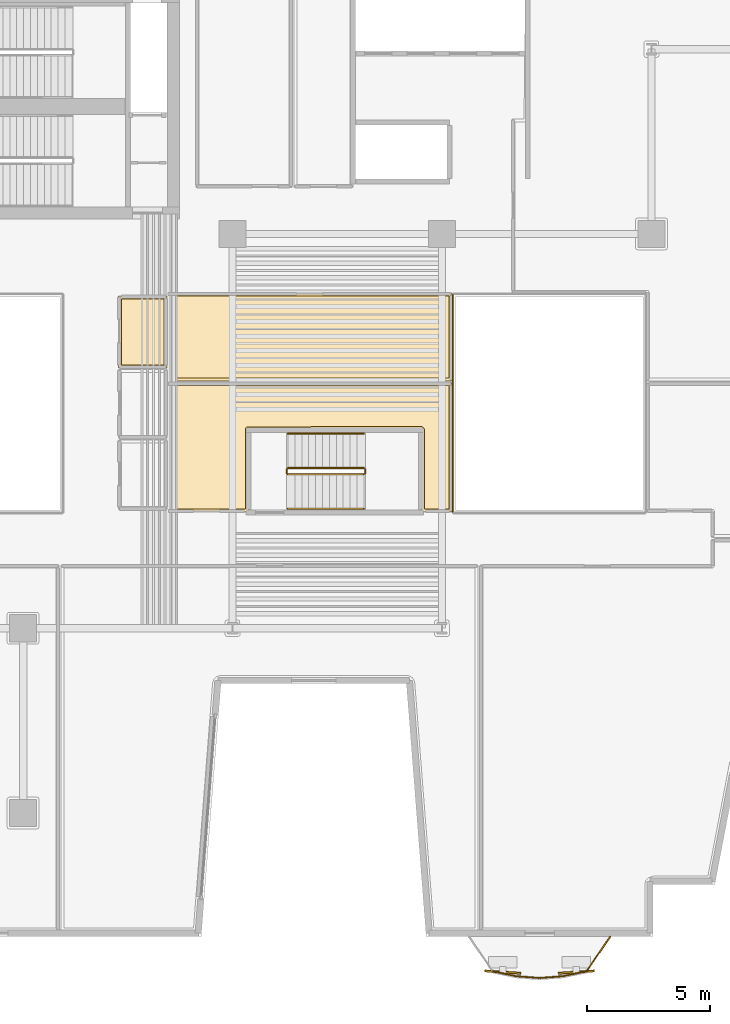
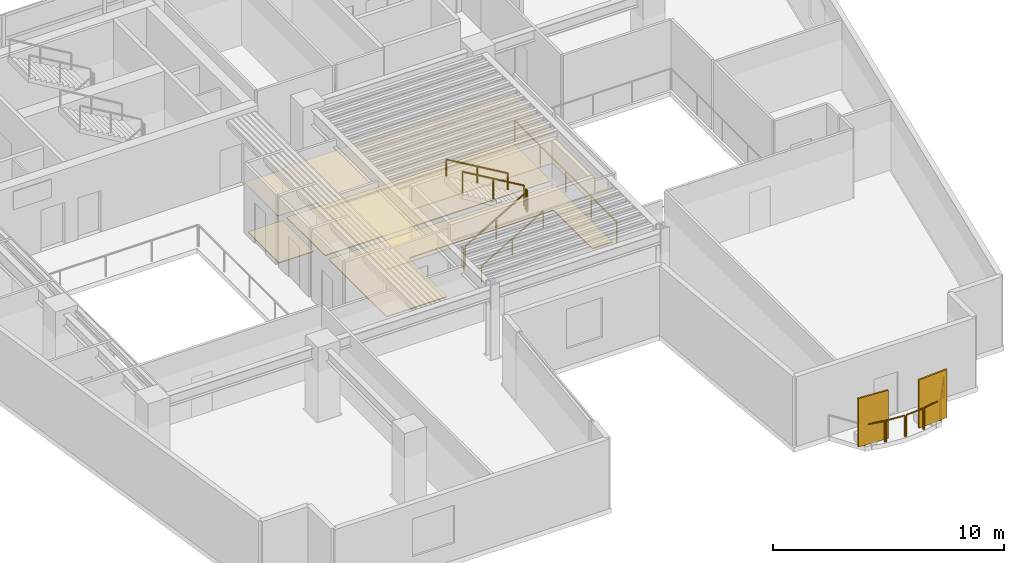
# One storey, part 10 of 13: 12 railings, 6 coverings, 2 shading devices.
"""IFC4 building model written with IfcOpenShell, lengths in metres."""

from ifc_helpers import new_model, si_unit, direction, frame, origin, origin_2d, place, context, subcontext, project, spatial, polyline, rectangle, outline, extrude, material, layer, layer_set, type_object, element, save


model = new_model("IFC4")

# Units and contexts
model_context = context("Model", 3, precision=1e-05, world=origin(), true_north=direction((0.0, 1.0)))
body_context = subcontext(model_context, "Body", "Model", "MODEL_VIEW")
ifc_project = project(units=[si_unit("LENGTHUNIT", "METRE"), si_unit("AREAUNIT", "SQUARE_METRE"), si_unit("VOLUMEUNIT", "CUBIC_METRE"), si_unit("PLANEANGLEUNIT", "RADIAN"), si_unit("MASSUNIT", "GRAM", prefix="KILO")], contexts=[model_context])

# Site, building, storey
site_placement = place(None, origin())
site = spatial("IfcSite", under=ifc_project, at=site_placement, CompositionType="ELEMENT")
building_placement = place(site_placement, origin())
building = spatial("IfcBuilding", under=site, at=building_placement, Name="Caeloran Harvest Quay", CompositionType="ELEMENT")
storey_placement = place(building_placement, frame((0.0, 0.0, 135.10009765625)))
storey = spatial("IfcBuildingStorey", under=building, at=storey_placement, Name="L31", CompositionType="ELEMENT", Elevation=135.10009765625)

# Coverings
ifc_material_1 = material(Name="Perforated Mineral-Fibre Acoustic Ceiling Tile", Category="ceiling")
ifc_layer_1 = layer(ifc_material_1, 0.0400390625, Name="Perforated Mineral-Fibre Acoustic Ceiling Tile")
ifc_layer_set_1 = layer_set([ifc_layer_1], Name="Perforated Mineral-Fibre Acoustic Ceiling Tile")
covering_type_1 = type_object("IfcCoveringType", Name="COV-CEILING-ACOUSTIC", PredefinedType="CEILING", material=ifc_layer_set_1)
covering_1_placement = place(storey_placement, frame((0.0, 0.0, 2.599853515625)))
element("IfcCovering", 1, at=covering_1_placement, inside=storey, type_object=covering_type_1, Name="L31 Male Washroom WC Acoustic Ceiling", PredefinedType="CEILING", context=body_context, shape_type="SweptSolid", body=[
    extrude(outline(polyline([(22.840087890625, 25.56005859375), (20.8701171875, 25.56005859375), (20.8701171875, 28.489990234375), (22.840087890625, 28.489990234375), (22.840087890625, 25.56005859375)])), origin(), (0.0, 0.0, 1.0), 0.0400390625),
])
covering_2_placement = place(storey_placement, frame((0.0, 0.0, 2.599853515625)))
element("IfcCovering", 2, at=covering_2_placement, inside=storey, type_object=covering_type_1, Name="Sensory Tasting Kitchen Acoustic Ceiling", PredefinedType="CEILING", context=body_context, shape_type="SweptSolid", body=[
    extrude(outline(polyline([(26.139892578125, 23.06005859375), (26.139892578125, 19.7099609375), (22.8701171875, 19.7099609375), (22.8701171875, 24.9599609375), (34.409912109375, 24.9599609375), (34.409912109375, 19.7099609375), (33.159912109375, 19.7099609375), (33.159912109375, 23.06005859375), (26.139892578125, 23.06005859375)])), origin(), (0.0, 0.0, 1.0), 0.0400390625),
])
covering_3_placement = place(storey_placement, frame((0.0, 0.0, 2.599853515625)))
element("IfcCovering", 3, at=covering_3_placement, inside=storey, type_object=covering_type_1, Name="Staff Wellness Lounge Acoustic Ceiling", PredefinedType="CEILING", context=body_context, shape_type="SweptSolid", body=[
    extrude(outline(polyline([(22.8701171875, 28.512939453125), (22.85009765625, 28.52001953125), (22.85009765625, 28.610107421875), (34.409912109375, 28.610107421875), (34.409912109375, 25.0400390625), (22.8701171875, 25.0400390625), (22.8701171875, 28.512939453125)])), origin(), (0.0, 0.0, 1.0), 0.0400390625),
])
ifc_material_2 = material(Name="Calcium-Sulphate Raised Access Floor and Terrazzo Finish", Category="flooring")
ifc_layer_2 = layer(ifc_material_2, 0.050048828125, Name="Calcium-Sulphate Raised Access Floor and Terrazzo Finish")
ifc_layer_set_2 = layer_set([ifc_layer_2], Name="Calcium-Sulphate Raised Access Floor and Terrazzo Finish")
covering_type_2 = type_object("IfcCoveringType", Name="COV-FLOOR-RAISED", PredefinedType="FLOORING", material=ifc_layer_set_2)
covering_4_placement = place(storey_placement, origin())
element("IfcCovering", 4, at=covering_4_placement, inside=storey, type_object=covering_type_2, Name="L31 Male Washroom WC Raised Finish Flooring", PredefinedType="FLOORING", context=body_context, shape_type="SweptSolid", body=[
    extrude(outline(polyline([(22.719970703125, 25.679931640625), (20.989990234375, 25.679931640625), (20.989990234375, 28.3701171875), (22.719970703125, 28.3701171875), (22.719970703125, 25.679931640625)])), origin(), (0.0, 0.0, 1.0), 0.0498046875),
])
covering_5_placement = place(storey_placement, origin())
element("IfcCovering", 5, at=covering_5_placement, inside=storey, type_object=covering_type_2, Name="Sensory Tasting Kitchen Raised Finish Flooring", PredefinedType="FLOORING", context=body_context, shape_type="SweptSolid", body=[
    extrude(outline(polyline([(33.27978515625, 23.076904296875), (33.244873046875, 23.150390625), (33.169921875, 23.179931640625), (26.09423828125, 23.174072265625), (26.040771484375, 23.13427734375), (26.02001953125, 23.070068359375), (26.02001953125, 19.830078125), (22.989990234375, 19.830078125), (22.989990234375, 24.840087890625), (34.2900390625, 24.840087890625), (34.2900390625, 19.830078125), (33.280029296875, 19.830078125), (33.27978515625, 23.076904296875)])), origin(), (0.0, 0.0, 1.0), 0.0498046875),
])
covering_6_placement = place(storey_placement, origin())
element("IfcCovering", 6, at=covering_6_placement, inside=storey, type_object=covering_type_2, Name="Staff Wellness Lounge Raised Finish Flooring", PredefinedType="FLOORING", context=body_context, shape_type="SweptSolid", body=[
    extrude(outline(polyline([(22.989990234375, 28.489990234375), (34.2900390625, 28.489990234375), (34.2900390625, 25.159912109375), (22.989990234375, 25.159912109375), (22.989990234375, 28.489990234375)])), origin(), (0.0, 0.0, 1.0), 0.0498046875),
])

# Railings
ifc_material_3 = material(Name="Powder-Coated Steel Post and Laminated Glass Guardrail", Category="steel")
ifc_layer_3 = layer(ifc_material_3, 0.06005859375, Name="Powder-Coated Steel Post and Laminated Glass Guardrail")
ifc_layer_set_3 = layer_set([ifc_layer_3], Name="Powder-Coated Steel Post and Laminated Glass Guardrail")
railing_type_1 = type_object("IfcRailingType", Name="GUARD-ATRIUM-1150", PredefinedType="GUARDRAIL", material=ifc_layer_set_3)
railing_1_placement = place(storey_placement, frame((34.429931640625, 28.5380859375, 0.0)))
element("IfcRailing", 7, at=railing_1_placement, inside=storey, type_object=railing_type_1, Name="L31 East Botanical Lightwell Guardrail Seg 4", PredefinedType="GUARDRAIL", context=body_context, shape_type="SweptSolid", body=[
    extrude(rectangle(XDim=0.048095703125, YDim=0.048095703125, at=origin_2d()), frame((0.0, 0.0, 1.1259765625), z_axis=(0.0, -1.0, 0.0), x_axis=(1.0, 0.0, 0.0)), (0.0, 0.0, 1.0), 8.826171875),
    extrude(rectangle(XDim=0.0419921875, YDim=0.0419921875, at=origin_2d()), origin(), (0.0, 0.0, 1.0), 1.101806640625),
    extrude(rectangle(XDim=0.0419921875, YDim=0.0419921875, at=origin_2d()), frame((0.0, -2.20654296875, 0.0)), (0.0, 0.0, 1.0), 1.101806640625),
    extrude(rectangle(XDim=0.0419921875, YDim=0.0419921875, at=origin_2d()), frame((0.0, -4.4130859375, 0.0)), (0.0, 0.0, 1.0), 1.101806640625),
    extrude(rectangle(XDim=0.0419921875, YDim=0.0419921875, at=origin_2d()), frame((0.0, -6.61962890625, 0.0)), (0.0, 0.0, 1.0), 1.101806640625),
    extrude(rectangle(XDim=0.0419921875, YDim=0.0419921875, at=origin_2d()), frame((0.0, -8.826171875, 0.0)), (0.0, 0.0, 1.0), 1.101806640625),
])
ifc_material_4 = material(Name="Laminated Safety Glass and Stainless Steel 316", Category="steel")
ifc_layer_4 = layer(ifc_material_4, 0.06005859375, Name="Laminated Safety Glass and Stainless Steel 316")
ifc_layer_set_4 = layer_set([ifc_layer_4], Name="Laminated Safety Glass and Stainless Steel 316")
railing_type_2 = type_object("IfcRailingType", Name="GUARD-BALUSTRADE-1150", PredefinedType="BALUSTRADE", material=ifc_layer_set_4)
railing_2_placement = place(storey_placement, frame((40.825927734375, 2.47998046875, 0.0)))
element("IfcRailing", 8, at=railing_2_placement, inside=storey, type_object=railing_type_2, Name="L31 Planted Balcony Perimeter Balustrade Guard Seg 1", PredefinedType="BALUSTRADE", context=body_context, shape_type="SweptSolid", body=[
    extrude(rectangle(XDim=0.048095703125, YDim=0.048095703125, at=origin_2d()), frame((0.0, 0.0, 1.1259765625), z_axis=(-0.564699722843, -0.82529644554, 0.0), x_axis=(0.82529644554, -0.564699722843, 0.0)), (0.0, 0.0, 1.0), 1.6611328125),
    extrude(rectangle(XDim=0.0419921875, YDim=0.0419921875, at=origin_2d()), origin(), (0.0, 0.0, 1.0), 1.101806640625),
    extrude(rectangle(XDim=0.0419921875, YDim=0.0419921875, at=origin_2d()), frame((-0.93798828125, -1.370849609375, 0.0)), (0.0, 0.0, 1.0), 1.101806640625),
])
railing_3_placement = place(storey_placement, frame((39.83837890625, 1.076171875, 0.0)))
element("IfcRailing", 9, at=railing_3_placement, inside=storey, type_object=railing_type_2, Name="L31 Planted Balcony Perimeter Balustrade Guard Seg 2", PredefinedType="BALUSTRADE", context=body_context, shape_type="SweptSolid", body=[
    extrude(rectangle(XDim=0.048095703125, YDim=0.048095703125, at=origin_2d()), frame((0.0, 0.0, 1.1259765625), z_axis=(-0.978188056944, -0.207721268173, 0.0), x_axis=(0.207721268173, -0.978188056944, 0.0)), (0.0, 0.0, 1.0), 0.913330078125),
    extrude(rectangle(XDim=0.0419921875, YDim=0.0419921875, at=origin_2d()), origin(), (0.0, 0.0, 1.0), 1.101806640625),
    extrude(rectangle(XDim=0.0419921875, YDim=0.0419921875, at=origin_2d()), frame((-0.893310546875, -0.189697265625, 0.0)), (0.0, 0.0, 1.0), 1.101806640625),
])
railing_4_placement = place(storey_placement, frame((38.8818359375, 0.87744140625, 0.0)))
element("IfcRailing", 10, at=railing_4_placement, inside=storey, type_object=railing_type_2, Name="L31 Planted Balcony Perimeter Balustrade Guard Seg 3", PredefinedType="BALUSTRADE", context=body_context, shape_type="SweptSolid", body=[
    extrude(rectangle(XDim=0.048095703125, YDim=0.048095703125, at=origin_2d()), frame((0.0, 0.0, 1.1259765625), z_axis=(-0.996994817981, -0.077468270399, 0.0), x_axis=(0.077468270399, -0.996994817981, 0.0)), (0.0, 0.0, 1.0), 0.89501953125),
    extrude(rectangle(XDim=0.0419921875, YDim=0.0419921875, at=origin_2d()), origin(), (0.0, 0.0, 1.0), 1.101806640625),
    extrude(rectangle(XDim=0.0419921875, YDim=0.0419921875, at=origin_2d()), frame((-0.892333984375, -0.0693359375, 0.0)), (0.0, 0.0, 1.0), 1.101806640625),
])
railing_5_placement = place(storey_placement, frame((37.925537109375, 0.80810546875, 0.0)))
element("IfcRailing", 11, at=railing_5_placement, inside=storey, type_object=railing_type_2, Name="L31 Planted Balcony Perimeter Balustrade Guard Seg 4", PredefinedType="BALUSTRADE", context=body_context, shape_type="SweptSolid", body=[
    extrude(rectangle(XDim=0.048095703125, YDim=0.048095703125, at=origin_2d()), frame((0.0, 0.0, 1.1259765625), z_axis=(-0.996994817981, 0.077468270399, 0.0), x_axis=(-0.077468270399, -0.996994817981, 0.0)), (0.0, 0.0, 1.0), 0.89501953125),
    extrude(rectangle(XDim=0.0419921875, YDim=0.0419921875, at=origin_2d()), origin(), (0.0, 0.0, 1.0), 1.101806640625),
    extrude(rectangle(XDim=0.0419921875, YDim=0.0419921875, at=origin_2d()), frame((-0.892333984375, 0.0693359375, 0.0)), (0.0, 0.0, 1.0), 1.101806640625),
])
railing_6_placement = place(storey_placement, frame((36.969970703125, 0.886474609375, 0.0)))
element("IfcRailing", 12, at=railing_6_placement, inside=storey, type_object=railing_type_2, Name="L31 Planted Balcony Perimeter Balustrade Guard Seg 5", PredefinedType="BALUSTRADE", context=body_context, shape_type="SweptSolid", body=[
    extrude(rectangle(XDim=0.048095703125, YDim=0.048095703125, at=origin_2d()), frame((0.0, 0.0, 1.1259765625), z_axis=(-0.978199587535, 0.207666961616, 0.0), x_axis=(-0.207666961616, -0.978199587535, 0.0)), (0.0, 0.0, 1.0), 0.91357421875),
    extrude(rectangle(XDim=0.0419921875, YDim=0.0419921875, at=origin_2d()), origin(), (0.0, 0.0, 1.0), 1.101806640625),
    extrude(rectangle(XDim=0.0419921875, YDim=0.0419921875, at=origin_2d()), frame((-0.8935546875, 0.189697265625, 0.0)), (0.0, 0.0, 1.0), 1.101806640625),
])

# Shading devices
ifc_material_5 = material(Name="3003-H14 Perforated Powder-Coated Aluminium", Category="aluminium")
shading_device_type = type_object("IfcShadingDeviceType", Name="SHADE-SCREEN-FOLDED", PredefinedType="USERDEFINED", material=ifc_material_5)
for number, where, z_axis, x_axis, name in (
    (13, (39.44921875, 1.04638671875, 0.07470703125), (0.0, 0.0, 1.0), (0.997801468292, 0.0662739004, 0.0), "L31 Folded Facade Breathing Screen 1"),
    (14, (36.4658203125, 1.04638671875, 0.07470703125), (0.0, 0.0, 1.0), (0.997801468292, -0.0662739004, 0.0), "L31 Folded Facade Breathing Screen 2"),
):
    element("IfcShadingDevice", number, at=place(storey_placement, frame(where, z_axis=z_axis, x_axis=x_axis)), inside=storey, type_object=shading_device_type, Name=name, ObjectType="SCREEN", PredefinedType="USERDEFINED", context=body_context, shape_type="SweptSolid", body=[
        extrude(rectangle(XDim=1.449951171875, YDim=0.080078125, at=origin_2d()), origin(), (0.0, 0.0, 1.0), 2.550048828125),
    ])

# Railings
ifc_material_6 = material(Name="Painted Steel Baluster and Top-Rail Stair Guard", Category="steel")
ifc_layer_5 = layer(ifc_material_6, 0.050048828125, Name="Painted Steel Baluster and Top-Rail Stair Guard")
ifc_layer_set_5 = layer_set([ifc_layer_5], Name="Painted Steel Baluster and Top-Rail Stair Guard")
railing_type_3 = type_object("IfcRailingType", Name="STAIR-GUARD-1100", PredefinedType="GUARDRAIL", material=ifc_layer_set_5)
railing_7_placement = place(storey_placement, frame((27.75, 21.25, 0.16455078125)))
element("IfcRailing", 15, at=railing_7_placement, inside=storey, type_object=railing_type_3, Name="L31 ST-W1 stair guard 1", PredefinedType="GUARDRAIL", context=body_context, shape_type="SweptSolid", body=[
    extrude(rectangle(XDim=0.048095703125, YDim=0.048095703125, at=origin_2d()), frame((0.0, 0.0, 1.076171875), z_axis=(0.862118610829, 0.0, 0.506706523406), x_axis=(0.0, 1.0, 0.0)), (0.0, 0.0, 1.0), 3.57275390625),
    extrude(rectangle(XDim=0.0419921875, YDim=0.0419921875, at=origin_2d()), origin(), (0.0, 0.0, 1.0), 1.052001953125),
    extrude(rectangle(XDim=0.0419921875, YDim=0.0419921875, at=origin_2d()), frame((1.5400390625, 0.0, 0.9052734375)), (0.0, 0.0, 1.0), 1.052001953125),
    extrude(rectangle(XDim=0.0419921875, YDim=0.0419921875, at=origin_2d()), frame((3.080078125, 0.0, 1.810302734375)), (0.0, 0.0, 1.0), 1.052001953125),
])
railing_8_placement = place(storey_placement, frame((30.8798828125, 21.300048828125, 1.974853515625)))
element("IfcRailing", 16, at=railing_8_placement, inside=storey, type_object=railing_type_3, Name="L31 ST-W1 stair guard 2", PredefinedType="GUARDRAIL", context=body_context, shape_type="SweptSolid", body=[
    extrude(rectangle(XDim=0.048095703125, YDim=0.048095703125, at=origin_2d()), frame((0.0, 0.0, 1.076171875), z_axis=(0.0, 1.0, 0.0), x_axis=(-1.0, 0.0, 0.0)), (0.0, 0.0, 1.0), 0.14990234375),
    extrude(rectangle(XDim=0.0419921875, YDim=0.0419921875, at=origin_2d()), origin(), (0.0, 0.0, 1.0), 1.052001953125),
    extrude(rectangle(XDim=0.0419921875, YDim=0.0419921875, at=origin_2d()), frame((0.0, 0.14990234375, 0.0)), (0.0, 0.0, 1.0), 1.052001953125),
])
railing_9_placement = place(storey_placement, frame((30.830078125, 21.5, 2.139404296875)))
element("IfcRailing", 17, at=railing_9_placement, inside=storey, type_object=railing_type_3, Name="L31 ST-W1 stair guard 3", PredefinedType="GUARDRAIL", context=body_context, shape_type="SweptSolid", body=[
    extrude(rectangle(XDim=0.048095703125, YDim=0.048095703125, at=origin_2d()), frame((0.0, 0.0, 1.076171875), z_axis=(-0.862088758681, 0.0, 0.506757310905), x_axis=(0.0, -1.0, 0.0)), (0.0, 0.0, 1.0), 3.57275390625),
    extrude(rectangle(XDim=0.0419921875, YDim=0.0419921875, at=origin_2d()), origin(), (0.0, 0.0, 1.0), 1.052001953125),
    extrude(rectangle(XDim=0.0419921875, YDim=0.0419921875, at=origin_2d()), frame((-1.5400390625, 0.0, 0.9052734375)), (0.0, 0.0, 1.0), 1.052001953125),
    extrude(rectangle(XDim=0.0419921875, YDim=0.0419921875, at=origin_2d()), frame((-3.080078125, 0.0, 1.810546875)), (0.0, 0.0, 1.0), 1.052001953125),
])
railing_10_placement = place(storey_placement, frame((27.699951171875, 21.300048828125, 0.0)))
element("IfcRailing", 18, at=railing_10_placement, inside=storey, type_object=railing_type_3, Name="L31 ST-W1 stair guard 4", PredefinedType="GUARDRAIL", context=body_context, shape_type="SweptSolid", body=[
    extrude(rectangle(XDim=0.048095703125, YDim=0.048095703125, at=origin_2d()), frame((0.0, 0.0, 1.076171875), z_axis=(0.0, 1.0, 0.0), x_axis=(-1.0, 0.0, 0.0)), (0.0, 0.0, 1.0), 0.14990234375),
    extrude(rectangle(XDim=0.0419921875, YDim=0.0419921875, at=origin_2d()), origin(), (0.0, 0.0, 1.0), 1.052001953125),
    extrude(rectangle(XDim=0.0419921875, YDim=0.0419921875, at=origin_2d()), frame((0.0, 0.14990234375, 0.0)), (0.0, 0.0, 1.0), 1.052001953125),
])
ifc_material_7 = material(Name="Brushed Stainless Steel Grade 304", Category="steel")
ifc_layer_6 = layer(ifc_material_7, 0.050048828125, Name="Brushed Stainless Steel Grade 304")
ifc_layer_set_6 = layer_set([ifc_layer_6], Name="Brushed Stainless Steel Grade 304")
railing_type_4 = type_object("IfcRailingType", Name="STAIR-HANDRAIL-900", PredefinedType="HANDRAIL", material=ifc_layer_set_6)
railing_11_placement = place(storey_placement, frame((27.75, 19.85009765625, 0.16455078125)))
element("IfcRailing", 19, at=railing_11_placement, inside=storey, type_object=railing_type_4, Name="L31 ST-W1 stair handrail 1", PredefinedType="HANDRAIL", context=body_context, shape_type="SweptSolid", body=[
    extrude(rectangle(XDim=0.048095703125, YDim=0.048095703125, at=origin_2d()), frame((0.0, 0.0, 0.8759765625), z_axis=(0.862118610829, 0.0, 0.506706523406), x_axis=(0.0, 1.0, 0.0)), (0.0, 0.0, 1.0), 3.57275390625),
    extrude(rectangle(XDim=0.0419921875, YDim=0.0419921875, at=origin_2d()), origin(), (0.0, 0.0, 1.0), 0.851806640625),
    extrude(rectangle(XDim=0.0419921875, YDim=0.0419921875, at=origin_2d()), frame((1.5400390625, 0.0, 0.9052734375)), (0.0, 0.0, 1.0), 0.851806640625),
    extrude(rectangle(XDim=0.0419921875, YDim=0.0419921875, at=origin_2d()), frame((3.080078125, 0.0, 1.810302734375)), (0.0, 0.0, 1.0), 0.851806640625),
])
railing_12_placement = place(storey_placement, frame((30.830078125, 22.89990234375, 2.139404296875)))
element("IfcRailing", 20, at=railing_12_placement, inside=storey, type_object=railing_type_4, Name="L31 ST-W1 stair handrail 2", PredefinedType="HANDRAIL", context=body_context, shape_type="SweptSolid", body=[
    extrude(rectangle(XDim=0.048095703125, YDim=0.048095703125, at=origin_2d()), frame((0.0, 0.0, 0.8759765625), z_axis=(-0.862088758681, 0.0, 0.506757310905), x_axis=(0.0, -1.0, 0.0)), (0.0, 0.0, 1.0), 3.57275390625),
    extrude(rectangle(XDim=0.0419921875, YDim=0.0419921875, at=origin_2d()), origin(), (0.0, 0.0, 1.0), 0.851806640625),
    extrude(rectangle(XDim=0.0419921875, YDim=0.0419921875, at=origin_2d()), frame((-1.5400390625, 0.0, 0.9052734375)), (0.0, 0.0, 1.0), 0.851806640625),
    extrude(rectangle(XDim=0.0419921875, YDim=0.0419921875, at=origin_2d()), frame((-3.080078125, 0.0, 1.810546875)), (0.0, 0.0, 1.0), 0.851806640625),
])

save(model, "model.ifc")
